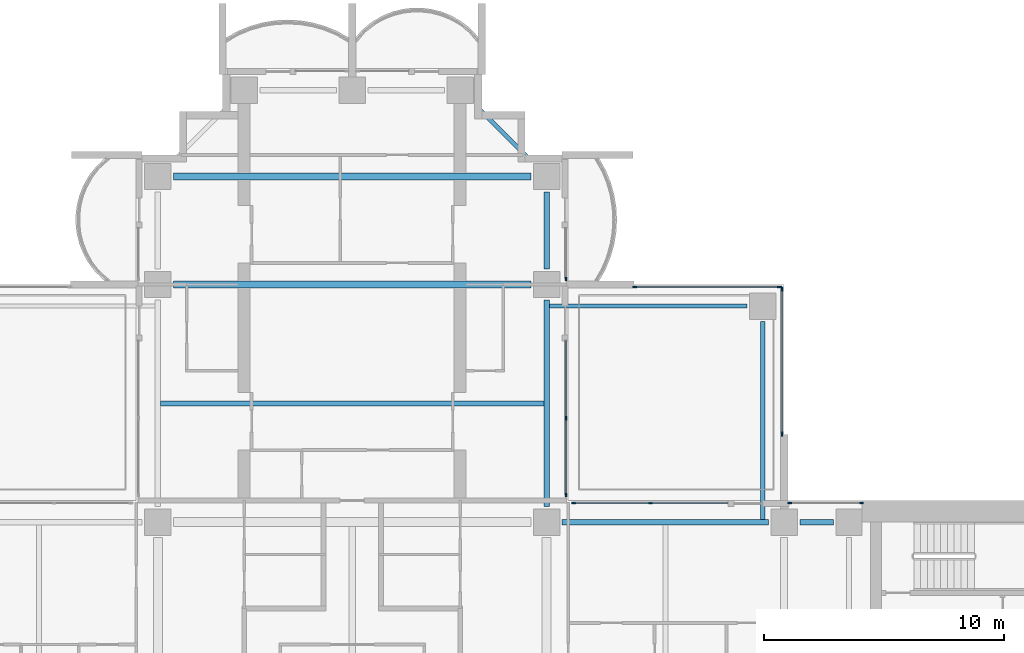
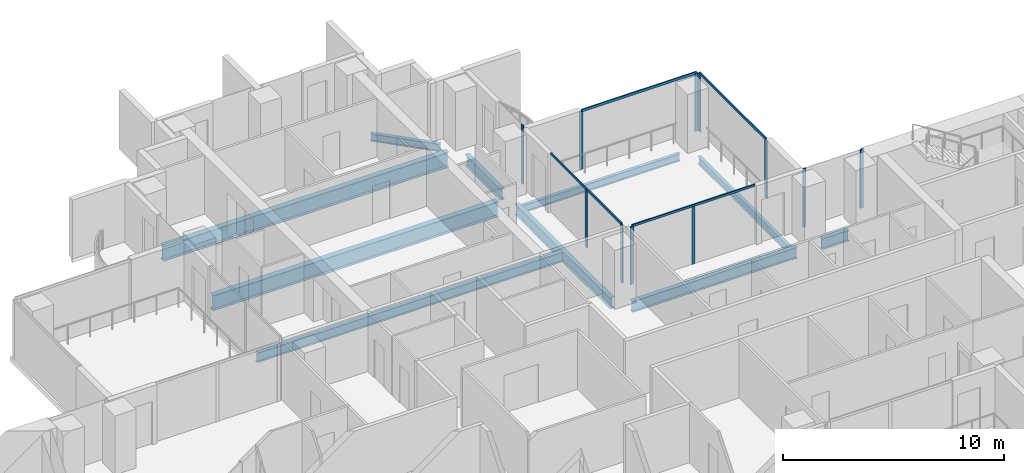
# One storey, part 6 of 20: 15 members, 10 beams, 6 elements without a shape of their own.
"""IFC4 building model written with IfcOpenShell, lengths in metres."""

from ifc_helpers import new_model, si_unit, direction, frame, origin, origin_2d, place, context, subcontext, project, spatial, rectangle, i_section, extrude, material, material_profile, profile_set, type_object, element, aggregate, save


model = new_model("IFC4")

# Units and contexts
model_context = context("Model", 3, precision=1e-05, world=origin(), true_north=direction((0.0, 1.0)))
body_context = subcontext(model_context, "Body", "Model", "MODEL_VIEW")
ifc_project = project(units=[si_unit("LENGTHUNIT", "METRE"), si_unit("AREAUNIT", "SQUARE_METRE"), si_unit("VOLUMEUNIT", "CUBIC_METRE"), si_unit("PLANEANGLEUNIT", "RADIAN"), si_unit("MASSUNIT", "GRAM", prefix="KILO")], contexts=[model_context])

# Site, building, storey
site_placement = place(None, origin())
site = spatial("IfcSite", under=ifc_project, at=site_placement, CompositionType="ELEMENT")
building_placement = place(site_placement, origin())
building = spatial("IfcBuilding", under=site, at=building_placement, Name="Perihelion Cross Residences", CompositionType="ELEMENT")
storey_placement = place(building_placement, frame((0.0, 0.0, 102.39990234375)))
storey = spatial("IfcBuildingStorey", under=building, at=storey_placement, Name="L23", CompositionType="ELEMENT", Elevation=102.39990234375)

# Curtain wall, members
ifc_material_1 = material(Name="Bronze anodised aluminium, tinted glazing", Category="aluminium")
curtain_wall_type_1 = type_object("IfcCurtainWallType", Name="CW1", PredefinedType="NOTDEFINED", material=ifc_material_1)
curtain_wall_1_placement = place(storey_placement, origin())
curtain_wall_1 = element("IfcCurtainWall", 1, at=curtain_wall_1_placement, inside=storey, type_object=curtain_wall_type_1, Name="Curtain wall CW1 L23 east side north bay 1", PredefinedType="NOTDEFINED")
ifc_material_2 = material(Name="Bronze anodised aluminium", Category="aluminium")
ifc_material_profile_1 = material_profile(ifc_material_2, rectangle(XDim=0.06005859375, YDim=0.159912109375, at=origin_2d()), Name="CW1 mullion")
ifc_profile_set_1 = profile_set([ifc_material_profile_1], Name="Bronze anodised aluminium")
member_type_1 = type_object("IfcMemberType", Name="CW1 mullion", PredefinedType="MULLION", material=ifc_profile_set_1)
member_1_placement = place(storey_placement, frame((21.219970703125, 8.89990234375, 0.0), z_axis=(0.0, 0.0, 1.0), x_axis=(0.0, -1.0, 0.0)))
member_1 = element("IfcMember", 2, at=member_1_placement, type_object=member_type_1, Name="CW1 mullion 1", PredefinedType="MULLION", context=body_context, shape_type="SweptSolid", body=[
    extrude(rectangle(XDim=0.06005859375, YDim=0.159912109375, at=origin_2d()), origin(), (0.0, 0.0, 1.0), 3.25),
])
member_2_placement = place(storey_placement, frame((18.22998046875, 8.89990234375, 0.0), z_axis=(0.0, 0.0, 1.0), x_axis=(0.0, -1.0, 0.0)))
member_2 = element("IfcMember", 3, at=member_2_placement, type_object=member_type_1, Name="CW1 mullion 2", PredefinedType="MULLION", context=body_context, shape_type="SweptSolid", body=[
    extrude(rectangle(XDim=0.06005859375, YDim=0.159912109375, at=origin_2d()), origin(), (0.0, 0.0, 1.0), 3.25),
])
aggregate(curtain_wall_1, [member_1, member_2])

curtain_wall_2_placement = place(storey_placement, origin())
curtain_wall_2 = element("IfcCurtainWall", 4, at=curtain_wall_2_placement, inside=storey, type_object=curtain_wall_type_1, Name="Curtain wall CW1 L23 east side north bay 2", PredefinedType="NOTDEFINED")
member_3_placement = place(storey_placement, frame((12.425048828125, 8.89990234375, 0.0), z_axis=(0.0, 0.0, 1.0), x_axis=(0.0, -1.0, 0.0)))
member_3 = element("IfcMember", 5, at=member_3_placement, type_object=member_type_1, Name="CW1 mullion 2", PredefinedType="MULLION", context=body_context, shape_type="SweptSolid", body=[
    extrude(rectangle(XDim=0.06005859375, YDim=0.159912109375, at=origin_2d()), origin(), (0.0, 0.0, 1.0), 3.190185546875),
])
member_4_placement = place(storey_placement, frame((9.22998046875, 8.89990234375, 0.0), z_axis=(0.0, 0.0, 1.0), x_axis=(0.0, -1.0, 0.0)))
member_4 = element("IfcMember", 6, at=member_4_placement, type_object=member_type_1, Name="CW1 mullion 3", PredefinedType="MULLION", context=body_context, shape_type="SweptSolid", body=[
    extrude(rectangle(XDim=0.06005859375, YDim=0.159912109375, at=origin_2d()), origin(), (0.0, 0.0, 1.0), 3.190185546875),
])

curtain_wall_3_placement = place(storey_placement, origin())
curtain_wall_3 = element("IfcCurtainWall", 7, at=curtain_wall_3_placement, inside=storey, type_object=curtain_wall_type_1, Name="Curtain wall CW1 L23 north side east bay 1", PredefinedType="NOTDEFINED")
member_5_placement = place(storey_placement, frame((8.89990234375, 9.22998046875, 0.0), z_axis=(0.0, 0.0, 1.0), x_axis=(-1.0, 0.0, 0.0)))
member_5 = element("IfcMember", 8, at=member_5_placement, type_object=member_type_1, Name="CW1 mullion 1", PredefinedType="MULLION", context=body_context, shape_type="SweptSolid", body=[
    extrude(rectangle(XDim=0.06005859375, YDim=0.159912109375, at=origin_2d()), origin(), (0.0, 0.0, 1.0), 3.190185546875),
])
member_6_placement = place(storey_placement, frame((8.89990234375, 12.425048828125, 0.0), z_axis=(0.0, 0.0, 1.0), x_axis=(-1.0, 0.0, 0.0)))
member_6 = element("IfcMember", 9, at=member_6_placement, type_object=member_type_1, Name="CW1 mullion 2", PredefinedType="MULLION", context=body_context, shape_type="SweptSolid", body=[
    extrude(rectangle(XDim=0.06005859375, YDim=0.159912109375, at=origin_2d()), origin(), (0.0, 0.0, 1.0), 3.190185546875),
])

# Curtain wall, member
curtain_wall_4_placement = place(storey_placement, origin())
curtain_wall_4 = element("IfcCurtainWall", 10, at=curtain_wall_4_placement, inside=storey, type_object=curtain_wall_type_1, Name="Curtain wall CW1 L23 north side east bay 2", PredefinedType="NOTDEFINED")
member_7_placement = place(storey_placement, frame((8.89990234375, 18.22998046875, 0.0), z_axis=(0.0, 0.0, 1.0), x_axis=(-1.0, 0.0, 0.0)))
member_7 = element("IfcMember", 11, at=member_7_placement, type_object=member_type_1, Name="CW1 mullion 1", PredefinedType="MULLION", context=body_context, shape_type="SweptSolid", body=[
    extrude(rectangle(XDim=0.06005859375, YDim=0.159912109375, at=origin_2d()), origin(), (0.0, 0.0, 1.0), 3.25),
])
aggregate(curtain_wall_4, [member_7])

# Member
ifc_material_3 = material(Name="Bronze anodised aluminium", Category="aluminium")
ifc_material_profile_2 = material_profile(ifc_material_3, rectangle(XDim=0.06005859375, YDim=0.1201171875, at=origin_2d()), Name="CW1 transom")
ifc_profile_set_2 = profile_set([ifc_material_profile_2], Name="Bronze anodised aluminium")
member_type_2 = type_object("IfcMemberType", Name="CW1 transom", PredefinedType="USERDEFINED", material=ifc_profile_set_2)
member_8_placement = place(storey_placement, frame((15.64990234375, 8.89990234375, 3.22021484375), z_axis=(-1.0, 0.0, 0.0), x_axis=(0.0, -1.0, 0.0)))
member_8 = element("IfcMember", 12, at=member_8_placement, type_object=member_type_2, Name="CW1 head transom", ObjectType="TRANSOM", PredefinedType="USERDEFINED", context=body_context, shape_type="SweptSolid", body=[
    extrude(rectangle(XDim=0.06005859375, YDim=0.1201171875, at=origin_2d()), origin(), (0.0, 0.0, 1.0), 6.419921875),
])

aggregate(curtain_wall_2, [member_3, member_4, member_8])

member_9_placement = place(storey_placement, frame((8.89990234375, 9.22998046875, 3.22021484375), z_axis=(0.0, 1.0, 0.0), x_axis=(-1.0, 0.0, 0.0)))
member_9 = element("IfcMember", 13, at=member_9_placement, type_object=member_type_2, Name="CW1 head transom", ObjectType="TRANSOM", PredefinedType="USERDEFINED", context=body_context, shape_type="SweptSolid", body=[
    extrude(rectangle(XDim=0.06005859375, YDim=0.1201171875, at=origin_2d()), origin(), (0.0, 0.0, 1.0), 6.419921875),
])

aggregate(curtain_wall_3, [member_5, member_6, member_9])

# Curtain wall, members
ifc_material_4 = material(Name="Bronze anodised aluminium, tinted glazing", Category="aluminium")
curtain_wall_type_2 = type_object("IfcCurtainWallType", Name="CW4", PredefinedType="NOTDEFINED", material=ifc_material_4)
curtain_wall_5_placement = place(storey_placement, origin())
curtain_wall_5 = element("IfcCurtainWall", 14, at=curtain_wall_5_placement, inside=storey, type_object=curtain_wall_type_2, Name="Curtain wall CW4 L23 pocket north-east 1 1", PredefinedType="NOTDEFINED")
ifc_material_5 = material(Name="Bronze anodised aluminium", Category="aluminium")
ifc_material_profile_3 = material_profile(ifc_material_5, rectangle(XDim=0.06005859375, YDim=0.179931640625, at=origin_2d()), Name="CW4 mullion")
ifc_profile_set_3 = profile_set([ifc_material_profile_3], Name="Bronze anodised aluminium")
member_type_3 = type_object("IfcMemberType", Name="CW4 mullion", PredefinedType="MULLION", material=ifc_profile_set_3)
member_10_placement = place(storey_placement, frame((11.77001953125, 17.89990234375, 0.0), z_axis=(0.0, 0.0, 1.0), x_axis=(0.0, 1.0, 0.0)))
member_10 = element("IfcMember", 15, at=member_10_placement, type_object=member_type_3, Name="CW4 mullion 1", PredefinedType="MULLION", context=body_context, shape_type="SweptSolid", body=[
    extrude(rectangle(XDim=0.06005859375, YDim=0.179931640625, at=origin_2d()), origin(), (0.0, 0.0, 1.0), 3.190185546875),
])
member_11_placement = place(storey_placement, frame((17.800048828125, 17.89990234375, 0.0), z_axis=(0.0, 0.0, 1.0), x_axis=(0.0, 1.0, 0.0)))
member_11 = element("IfcMember", 16, at=member_11_placement, type_object=member_type_3, Name="CW4 mullion 2", PredefinedType="MULLION", context=body_context, shape_type="SweptSolid", body=[
    extrude(rectangle(XDim=0.06005859375, YDim=0.179931640625, at=origin_2d()), origin(), (0.0, 0.0, 1.0), 3.190185546875),
])

curtain_wall_6_placement = place(storey_placement, origin())
curtain_wall_6 = element("IfcCurtainWall", 17, at=curtain_wall_6_placement, inside=storey, type_object=curtain_wall_type_2, Name="Curtain wall CW4 L23 pocket north-east 1 2", PredefinedType="NOTDEFINED")
member_12_placement = place(storey_placement, frame((17.89990234375, 17.800048828125, 0.0), z_axis=(0.0, 0.0, 1.0), x_axis=(1.0, 0.0, 0.0)))
member_12 = element("IfcMember", 18, at=member_12_placement, type_object=member_type_3, Name="CW4 mullion 1", PredefinedType="MULLION", context=body_context, shape_type="SweptSolid", body=[
    extrude(rectangle(XDim=0.06005859375, YDim=0.179931640625, at=origin_2d()), origin(), (0.0, 0.0, 1.0), 3.190185546875),
])
member_13_placement = place(storey_placement, frame((17.89990234375, 11.77001953125, 0.0), z_axis=(0.0, 0.0, 1.0), x_axis=(1.0, 0.0, 0.0)))
member_13 = element("IfcMember", 19, at=member_13_placement, type_object=member_type_3, Name="CW4 mullion 2", PredefinedType="MULLION", context=body_context, shape_type="SweptSolid", body=[
    extrude(rectangle(XDim=0.06005859375, YDim=0.179931640625, at=origin_2d()), origin(), (0.0, 0.0, 1.0), 3.190185546875),
])

# Member
ifc_material_6 = material(Name="Bronze anodised aluminium", Category="aluminium")
ifc_material_profile_4 = material_profile(ifc_material_6, rectangle(XDim=0.06005859375, YDim=0.139892578125, at=origin_2d()), Name="CW4 transom")
ifc_profile_set_4 = profile_set([ifc_material_profile_4], Name="Bronze anodised aluminium")
member_type_4 = type_object("IfcMemberType", Name="CW4 transom", PredefinedType="USERDEFINED", material=ifc_profile_set_4)
member_14_placement = place(storey_placement, frame((11.77001953125, 17.89990234375, 3.22021484375), z_axis=(1.0, 0.0, 0.0), x_axis=(0.0, 1.0, 0.0)))
member_14 = element("IfcMember", 20, at=member_14_placement, type_object=member_type_4, Name="CW4 head transom", ObjectType="TRANSOM", PredefinedType="USERDEFINED", context=body_context, shape_type="SweptSolid", body=[
    extrude(rectangle(XDim=0.06005859375, YDim=0.139892578125, at=origin_2d()), origin(), (0.0, 0.0, 1.0), 6.030029296875),
])

aggregate(curtain_wall_5, [member_10, member_11, member_14])

member_15_placement = place(storey_placement, frame((17.89990234375, 17.800048828125, 3.22021484375), z_axis=(0.0, -1.0, 0.0), x_axis=(1.0, 0.0, 0.0)))
member_15 = element("IfcMember", 21, at=member_15_placement, type_object=member_type_4, Name="CW4 head transom", ObjectType="TRANSOM", PredefinedType="USERDEFINED", context=body_context, shape_type="SweptSolid", body=[
    extrude(rectangle(XDim=0.06005859375, YDim=0.139892578125, at=origin_2d()), origin(), (0.0, 0.0, 1.0), 6.030029296875),
])

aggregate(curtain_wall_6, [member_12, member_13, member_15])

# Beams
ifc_material_7 = material(Name="Steel S355", Category="steel")
ifc_material_profile_5 = material_profile(ifc_material_7, i_section(OverallWidth=0.177978515625, OverallDepth=0.406005859375, WebThickness=0.0078125, FlangeThickness=0.0126953125, at=origin_2d()), Name="W410x60")
ifc_profile_set_5 = profile_set([ifc_material_profile_5], Name="Steel S355")
beam_type_1 = type_object("IfcBeamType", Name="Core edge beam W410x60", PredefinedType="BEAM", material=ifc_profile_set_5)
for number, where, z_axis, x_axis, name in (
    (22, (17.10009765625, 8.214599609375, -0.452880859375), (0.0, 1.0, 0.0), (-1.0, 0.0, 0.0), "Core edge beam TB2 L23 corner no. 7"),
    (23, (8.214599609375, 17.10009765625, -0.452880859375), (1.0, 0.0, 0.0), (0.0, 1.0, 0.0), "Core edge beam TB2 L23 corner no. 8"),
):
    element("IfcBeam", number, at=place(storey_placement, frame(where, z_axis=z_axis, x_axis=x_axis)), inside=storey, type_object=beam_type_1, Name=name, PredefinedType="BEAM", context=body_context, shape_type="SweptSolid", body=[
        extrude(i_section(OverallWidth=0.177978515625, OverallDepth=0.406005859375, WebThickness=0.0078125, FlangeThickness=0.0126953125, at=origin_2d()), origin(), (0.0, 0.0, 1.0), 8.2353515625),
    ])
ifc_material_8 = material(Name="Steel S355", Category="steel")
ifc_material_profile_6 = material_profile(ifc_material_8, i_section(OverallWidth=0.22900390625, OverallDepth=0.612060546875, WebThickness=0.011962890625, FlangeThickness=0.01953125, at=origin_2d()), Name="W610x125")
ifc_profile_set_6 = profile_set([ifc_material_profile_6], Name="Steel S355")
beam_type_2 = type_object("IfcBeamType", Name="Edge beam W610x125", PredefinedType="SPANDREL", material=ifc_profile_set_6)
beam_1_placement = place(storey_placement, frame((20.050048828125, 8.10009765625, -0.555908203125), z_axis=(-1.0, 0.0, 0.0), x_axis=(0.0, -1.0, 0.0)))
element("IfcBeam", 24, at=beam_1_placement, inside=storey, type_object=beam_type_2, Name="Edge beam SB3 L23 no. 11", PredefinedType="SPANDREL", context=body_context, shape_type="SweptSolid", body=[
    extrude(i_section(OverallWidth=0.22900390625, OverallDepth=0.612060546875, WebThickness=0.011962890625, FlangeThickness=0.01953125, at=origin_2d()), origin(), (0.0, 0.0, 1.0), 1.400146484375),
])
for number, where, z_axis, x_axis, name in (
    (25, (17.35009765625, 8.10009765625, -0.555908203125), (-1.0, 0.0, 0.0), (0.0, -1.0, 0.0), "Edge beam SB3 L23 no. 10"),
    (26, (8.10009765625, 8.75, -0.555908203125), (0.0, 1.0, 0.0), (-1.0, 0.0, 0.0), "Edge beam SB3 L23 no. 16"),
):
    element("IfcBeam", number, at=place(storey_placement, frame(where, z_axis=z_axis, x_axis=x_axis)), inside=storey, type_object=beam_type_2, Name=name, PredefinedType="SPANDREL", context=body_context, shape_type="SweptSolid", body=[
        extrude(i_section(OverallWidth=0.22900390625, OverallDepth=0.612060546875, WebThickness=0.011962890625, FlangeThickness=0.01953125, at=origin_2d()), origin(), (0.0, 0.0, 1.0), 8.60009765625),
    ])
beam_2_placement = place(storey_placement, frame((8.10009765625, 18.64990234375, -0.555908203125), z_axis=(0.0, 1.0, 0.0), x_axis=(-1.0, 0.0, 0.0)))
element("IfcBeam", 27, at=beam_2_placement, inside=storey, type_object=beam_type_2, Name="Edge beam SB3 L23 no. 15", PredefinedType="SPANDREL", context=body_context, shape_type="SweptSolid", body=[
    extrude(i_section(OverallWidth=0.22900390625, OverallDepth=0.612060546875, WebThickness=0.011962890625, FlangeThickness=0.01953125, at=origin_2d()), origin(), (0.0, 0.0, 1.0), 3.2001953125),
])
ifc_material_9 = material(Name="Steel S355", Category="steel")
ifc_material_profile_7 = material_profile(ifc_material_9, i_section(OverallWidth=0.2919921875, OverallDepth=0.8359375, WebThickness=0.013916015625, FlangeThickness=0.018798828125, at=origin_2d()), Name="W840x176")
ifc_profile_set_7 = profile_set([ifc_material_profile_7], Name="Steel S355")
beam_type_3 = type_object("IfcBeamType", Name="Floor girder W840x176", PredefinedType="BEAM", material=ifc_profile_set_7)
for number, where, z_axis, x_axis, name in (
    (28, (-7.449951171875, 18.0, -0.66796875), (1.0, 0.0, 0.0), (0.0, 1.0, 0.0), "Girder G3 L23 no. 4"),
    (29, (-7.449951171875, 22.5, -0.66796875), (1.0, 0.0, 0.0), (0.0, 1.0, 0.0), "Girder G3 L23 no. 5"),
):
    element("IfcBeam", number, at=place(storey_placement, frame(where, z_axis=z_axis, x_axis=x_axis)), inside=storey, type_object=beam_type_3, Name=name, PredefinedType="BEAM", context=body_context, shape_type="SweptSolid", body=[
        extrude(i_section(OverallWidth=0.2919921875, OverallDepth=0.8359375, WebThickness=0.013916015625, FlangeThickness=0.018798828125, at=origin_2d()), origin(), (0.0, 0.0, 1.0), 14.89990234375),
    ])
ifc_material_10 = material(Name="Steel S355", Category="steel")
ifc_material_profile_8 = material_profile(ifc_material_10, i_section(OverallWidth=0.208984375, OverallDepth=0.532958984375, WebThickness=0.01025390625, FlangeThickness=0.015625, at=origin_2d()), Name="W530x92")
ifc_profile_set_8 = profile_set([ifc_material_profile_8], Name="Steel S355")
beam_type_4 = type_object("IfcBeamType", Name="Floor joist W530x92", PredefinedType="JOIST", material=ifc_profile_set_8)
beam_3_placement = place(storey_placement, frame((-7.985595703125, 13.050048828125, -0.516357421875), z_axis=(1.0, 0.0, 0.0), x_axis=(0.0, 1.0, 0.0)))
element("IfcBeam", 30, at=beam_3_placement, inside=storey, type_object=beam_type_4, Name="Joist J4 L23 no. 5", PredefinedType="JOIST", context=body_context, shape_type="SweptSolid", body=[
    extrude(i_section(OverallWidth=0.208984375, OverallDepth=0.532958984375, WebThickness=0.01025390625, FlangeThickness=0.015625, at=origin_2d()), origin(), (0.0, 0.0, 1.0), 15.97119140625),
])
ifc_material_11 = material(Name="Steel S355", Category="steel")
ifc_material_profile_9 = material_profile(ifc_material_11, i_section(OverallWidth=0.180908203125, OverallDepth=0.4169921875, WebThickness=0.010986328125, FlangeThickness=0.018310546875, at=origin_2d()), Name="W410x85")
ifc_profile_set_9 = profile_set([ifc_material_profile_9], Name="Steel S355")
beam_type_5 = type_object("IfcBeamType", Name="Serration edge beam W410x85", PredefinedType="BEAM", material=ifc_profile_set_9)
beam_4_placement = place(storey_placement, frame((7.449951171875, 23.14990234375, -0.45849609375), z_axis=(-0.707106781187, 0.707106781187, 0.0), x_axis=(-0.707106781187, -0.707106781187, 0.0)))
element("IfcBeam", 31, at=beam_4_placement, inside=storey, type_object=beam_type_5, Name="Serration edge beam EB3 L23 no. 4", PredefinedType="BEAM", context=body_context, shape_type="SweptSolid", body=[
    extrude(i_section(OverallWidth=0.180908203125, OverallDepth=0.4169921875, WebThickness=0.010986328125, FlangeThickness=0.018310546875, at=origin_2d()), origin(), (0.0, 0.0, 1.0), 3.252685546875),
])

save(model, "model.ifc")
